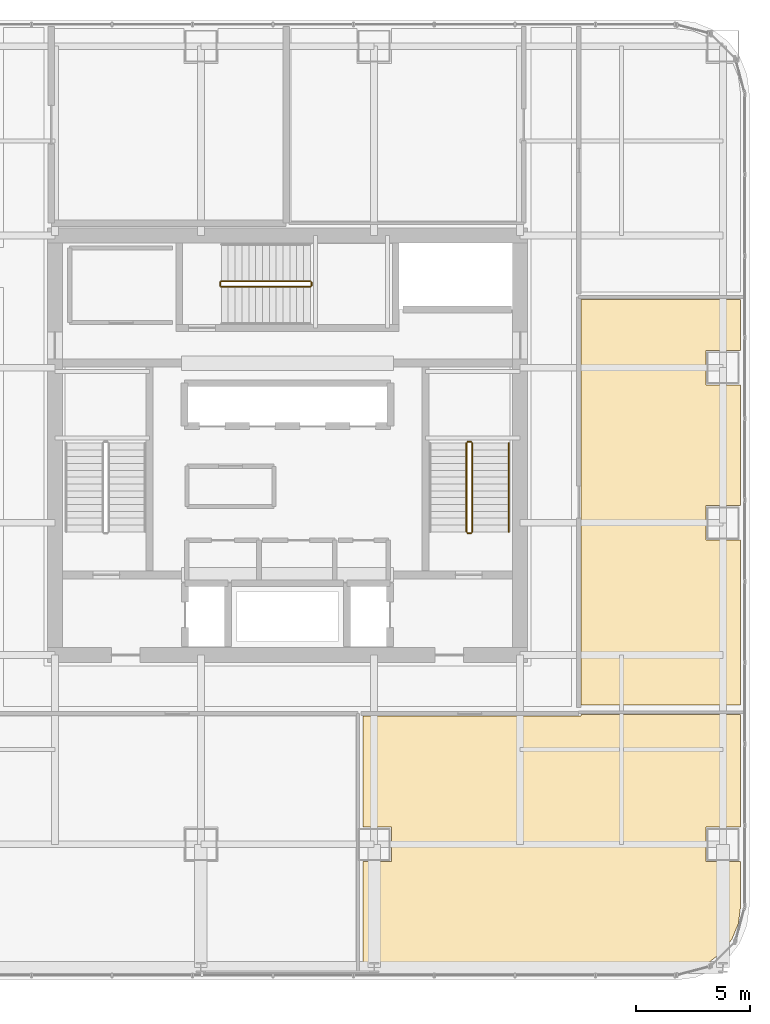
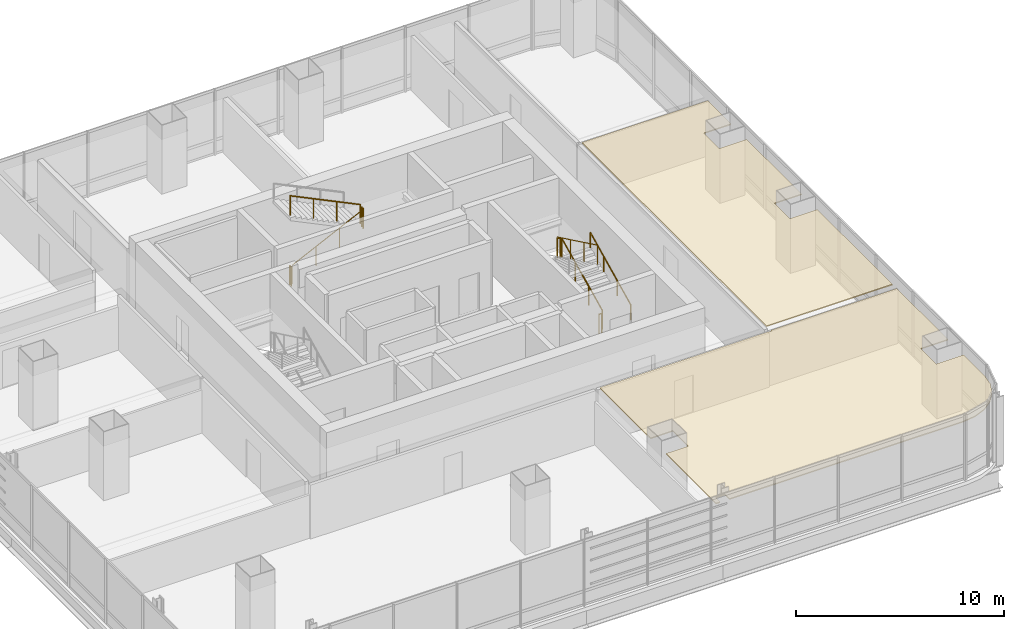
# One storey, part 35 of 36: 9 railings, 2 coverings.
"""IFC4 building model written with IfcOpenShell, lengths in metres."""

from ifc_helpers import new_model, si_unit, direction, frame, origin, origin_2d, place, context, subcontext, project, spatial, polyline, circle, outline, extrude, material, layer, layer_set, type_object, element, save


model = new_model("IFC4")

# Units and contexts
model_context = context("Model", 3, precision=1e-05, world=origin(), true_north=direction((0.0, 1.0)))
body_context = subcontext(model_context, "Body", "Model", "MODEL_VIEW")
ifc_project = project(units=[si_unit("LENGTHUNIT", "METRE"), si_unit("AREAUNIT", "SQUARE_METRE"), si_unit("VOLUMEUNIT", "CUBIC_METRE"), si_unit("PLANEANGLEUNIT", "RADIAN"), si_unit("MASSUNIT", "GRAM", prefix="KILO")], contexts=[model_context])

# Site, building, storey
site_placement = place(None, origin())
site = spatial("IfcSite", under=ifc_project, at=site_placement, CompositionType="ELEMENT")
building_placement = place(site_placement, origin())
building = spatial("IfcBuilding", under=site, at=building_placement, Name="Punatoya Terracotta Tower", CompositionType="ELEMENT")
storey_placement = place(building_placement, frame((0.0, 0.0, 184.35009765625)))
storey = spatial("IfcBuildingStorey", under=building, at=storey_placement, Name="L43", CompositionType="ELEMENT", Elevation=184.35009765625)

# Coverings
ifc_material_1 = material(Name="Acoustic Mineral Fibre Ceiling")
ifc_layer = layer(ifc_material_1, 0.06005859375)
ifc_layer_set = layer_set([ifc_layer], Name="Acoustic Mineral Fibre Ceiling")
covering_type = type_object("IfcCoveringType", Name="COV-CEIL-60", PredefinedType="CEILING", material=ifc_layer_set)
covering_1_placement = place(storey_placement, frame((0.0, 0.0, 3.219970703125)))
element("IfcCovering", 1, at=covering_1_placement, inside=storey, type_object=covering_type, Name="L43 Occupational Rest Lounge Acoustic Ceiling", PredefinedType="CEILING", context=body_context, shape_type="SweptSolid", body=[
    extrude(outline(polyline([(12.8701171875, -11.8701171875), (3.31591796875, -11.8701171875), (3.31591796875, -16.75), (4.550048828125, -16.75), (4.550048828125, -18.25), (3.31591796875, -18.25), (3.31591796875, -23.070068359375), (3.54541015625, -23.070068359375), (3.54541015625, -22.637451171875), (4.054443359375, -22.637451171875), (4.054443359375, -23.070068359375), (17.025146484375, -23.070068359375), (17.779052734375, -22.970703125), (18.458251953125, -22.689453125), (19.041748046875, -22.24169921875), (19.489501953125, -21.658203125), (19.770751953125, -20.97900390625), (19.8701171875, -20.22509765625), (19.8701171875, -18.25), (18.35009765625, -18.25), (18.35009765625, -16.75), (19.8701171875, -16.75), (19.8701171875, -11.81005859375), (12.8701171875, -11.81005859375), (12.8701171875, -11.8701171875)])), origin(), (0.0, 0.0, 1.0), 0.059814453125),
])
covering_2_placement = place(storey_placement, frame((0.0, 0.0, 3.219970703125)))
element("IfcCovering", 2, at=covering_2_placement, inside=storey, type_object=covering_type, Name="L43 Open-Plan Leadership Training Classroom Acoustic Ceiling", PredefinedType="CEILING", context=body_context, shape_type="SweptSolid", body=[
    extrude(outline(polyline([(12.8701171875, 6.403076171875), (12.8701171875, -11.389892578125), (19.8701171875, -11.389892578125), (19.8701171875, -4.14990234375), (18.35009765625, -4.14990234375), (18.35009765625, -2.64990234375), (19.8701171875, -2.64990234375), (19.8701171875, 2.64990234375), (18.35009765625, 2.64990234375), (18.35009765625, 4.14990234375), (19.8701171875, 4.14990234375), (19.8701171875, 6.403076171875), (12.8701171875, 6.403076171875)])), origin(), (0.0, 0.0, 1.0), 0.059814453125),
])

# Railings
ifc_material_2 = material(Name="Steel S355", Category="steel")
railing_type_1 = type_object("IfcRailingType", Name="RLG-GRD-1150", PredefinedType="GUARDRAIL", material=ifc_material_2)
railing_1_placement = place(storey_placement, frame((8.10009765625, -3.800048828125, 0.14453125)))
element("IfcRailing", 3, at=railing_1_placement, inside=storey, type_object=railing_type_1, Name="L43 ST-2 stair guard 1", PredefinedType="GUARDRAIL", context=body_context, shape_type="SweptSolid", body=[
    extrude(circle(Radius=0.02392578125, at=origin_2d()), frame((0.0, 0.0, 1.1259765625), z_axis=(0.0, 0.900773802044, 0.434288564841), x_axis=(-1.0, 0.0, 0.0)), (0.0, 0.0, 1.0), 4.329833984375),
    extrude(circle(Radius=0.02099609375, at=origin_2d()), origin(), (0.0, 0.0, 1.0), 1.101806640625),
    extrude(circle(Radius=0.02099609375, at=origin_2d()), frame((0.0, 1.300048828125, 0.626708984375)), (0.0, 0.0, 1.0), 1.101806640625),
    extrude(circle(Radius=0.02099609375, at=origin_2d()), frame((0.0, 2.60009765625, 1.253662109375)), (0.0, 0.0, 1.0), 1.101806640625),
    extrude(circle(Radius=0.02099609375, at=origin_2d()), frame((0.0, 3.900146484375, 1.88037109375)), (0.0, 0.0, 1.0), 1.101806640625),
])
railing_2_placement = place(storey_placement, frame((8.050048828125, 0.14990234375, 2.02490234375)))
element("IfcRailing", 4, at=railing_2_placement, inside=storey, type_object=railing_type_1, Name="L43 ST-2 stair guard 2", PredefinedType="GUARDRAIL", context=body_context, shape_type="SweptSolid", body=[
    extrude(circle(Radius=0.02392578125, at=origin_2d()), frame((0.0, 0.0, 1.1259765625), z_axis=(-1.0, 0.0, 0.0), x_axis=(0.0, -1.0, 0.0)), (0.0, 0.0, 1.0), 0.150146484375),
    extrude(circle(Radius=0.02099609375, at=origin_2d()), origin(), (0.0, 0.0, 1.0), 1.101806640625),
    extrude(circle(Radius=0.02099609375, at=origin_2d()), frame((-0.150146484375, 0.0, 0.0)), (0.0, 0.0, 1.0), 1.101806640625),
])
railing_3_placement = place(storey_placement, frame((7.85009765625, 0.10009765625, 2.16943359375)))
element("IfcRailing", 5, at=railing_3_placement, inside=storey, type_object=railing_type_1, Name="L43 ST-2 stair guard 3", PredefinedType="GUARDRAIL", context=body_context, shape_type="SweptSolid", body=[
    extrude(circle(Radius=0.02392578125, at=origin_2d()), frame((0.0, 0.0, 1.1259765625), z_axis=(0.0, -0.900773802044, 0.434288564841), x_axis=(1.0, 0.0, 0.0)), (0.0, 0.0, 1.0), 4.329833984375),
    extrude(circle(Radius=0.02099609375, at=origin_2d()), origin(), (0.0, 0.0, 1.0), 1.101806640625),
    extrude(circle(Radius=0.02099609375, at=origin_2d()), frame((0.0, -1.300048828125, 0.626708984375)), (0.0, 0.0, 1.0), 1.101806640625),
    extrude(circle(Radius=0.02099609375, at=origin_2d()), frame((0.0, -2.60009765625, 1.253662109375)), (0.0, 0.0, 1.0), 1.101806640625),
    extrude(circle(Radius=0.02099609375, at=origin_2d()), frame((0.0, -3.900146484375, 1.88037109375)), (0.0, 0.0, 1.0), 1.101806640625),
])
railing_4_placement = place(storey_placement, frame((8.050048828125, -3.85009765625, 0.0)))
element("IfcRailing", 6, at=railing_4_placement, inside=storey, type_object=railing_type_1, Name="L43 ST-2 stair guard 4", PredefinedType="GUARDRAIL", context=body_context, shape_type="SweptSolid", body=[
    extrude(circle(Radius=0.02392578125, at=origin_2d()), frame((0.0, 0.0, 1.1259765625), z_axis=(-1.0, 0.0, 0.0), x_axis=(0.0, -1.0, 0.0)), (0.0, 0.0, 1.0), 0.150146484375),
    extrude(circle(Radius=0.02099609375, at=origin_2d()), origin(), (0.0, 0.0, 1.0), 1.101806640625),
    extrude(circle(Radius=0.02099609375, at=origin_2d()), frame((-0.150146484375, 0.0, 0.0)), (0.0, 0.0, 1.0), 1.101806640625),
])
railing_5_placement = place(storey_placement, frame((-2.89990234375, 6.949951171875, 0.14453125)))
element("IfcRailing", 7, at=railing_5_placement, inside=storey, type_object=railing_type_1, Name="L43 ST-3 stair guard 1", PredefinedType="GUARDRAIL", context=body_context, shape_type="SweptSolid", body=[
    extrude(circle(Radius=0.02392578125, at=origin_2d()), frame((0.0, 0.0, 1.1259765625), z_axis=(0.900763166376, 0.0, 0.434310623978), x_axis=(0.0, 1.0, 0.0)), (0.0, 0.0, 1.0), 4.32958984375),
    extrude(circle(Radius=0.02099609375, at=origin_2d()), origin(), (0.0, 0.0, 1.0), 1.101806640625),
    extrude(circle(Radius=0.02099609375, at=origin_2d()), frame((1.300048828125, 0.0, 0.626708984375)), (0.0, 0.0, 1.0), 1.101806640625),
    extrude(circle(Radius=0.02099609375, at=origin_2d()), frame((2.599853515625, 0.0, 1.253662109375)), (0.0, 0.0, 1.0), 1.101806640625),
    extrude(circle(Radius=0.02099609375, at=origin_2d()), frame((3.89990234375, 0.0, 1.88037109375)), (0.0, 0.0, 1.0), 1.101806640625),
])
railing_6_placement = place(storey_placement, frame((1.050048828125, 7.0, 2.02490234375)))
element("IfcRailing", 8, at=railing_6_placement, inside=storey, type_object=railing_type_1, Name="L43 ST-3 stair guard 2", PredefinedType="GUARDRAIL", context=body_context, shape_type="SweptSolid", body=[
    extrude(circle(Radius=0.02392578125, at=origin_2d()), frame((0.0, 0.0, 1.1259765625), z_axis=(0.0, 1.0, 0.0), x_axis=(-1.0, 0.0, 0.0)), (0.0, 0.0, 1.0), 0.14990234375),
    extrude(circle(Radius=0.02099609375, at=origin_2d()), origin(), (0.0, 0.0, 1.0), 1.101806640625),
    extrude(circle(Radius=0.02099609375, at=origin_2d()), frame((0.0, 0.14990234375, 0.0)), (0.0, 0.0, 1.0), 1.101806640625),
])
railing_7_placement = place(storey_placement, frame((1.0, 7.199951171875, 2.16943359375)))
element("IfcRailing", 9, at=railing_7_placement, inside=storey, type_object=railing_type_1, Name="L43 ST-3 stair guard 3", PredefinedType="GUARDRAIL", context=body_context, shape_type="SweptSolid", body=[
    extrude(circle(Radius=0.02392578125, at=origin_2d()), frame((0.0, 0.0, 1.1259765625), z_axis=(-0.900763166376, 0.0, 0.434310623978), x_axis=(0.0, -1.0, 0.0)), (0.0, 0.0, 1.0), 4.32958984375),
    extrude(circle(Radius=0.02099609375, at=origin_2d()), origin(), (0.0, 0.0, 1.0), 1.101806640625),
    extrude(circle(Radius=0.02099609375, at=origin_2d()), frame((-1.300048828125, 0.0, 0.626708984375)), (0.0, 0.0, 1.0), 1.101806640625),
    extrude(circle(Radius=0.02099609375, at=origin_2d()), frame((-2.599853515625, 0.0, 1.253662109375)), (0.0, 0.0, 1.0), 1.101806640625),
    extrude(circle(Radius=0.02099609375, at=origin_2d()), frame((-3.89990234375, 0.0, 1.88037109375)), (0.0, 0.0, 1.0), 1.101806640625),
])
railing_8_placement = place(storey_placement, frame((-2.949951171875, 7.0, 0.0)))
element("IfcRailing", 10, at=railing_8_placement, inside=storey, type_object=railing_type_1, Name="L43 ST-3 stair guard 4", PredefinedType="GUARDRAIL", context=body_context, shape_type="SweptSolid", body=[
    extrude(circle(Radius=0.02392578125, at=origin_2d()), frame((0.0, 0.0, 1.1259765625), z_axis=(0.0, 1.0, 0.0), x_axis=(-1.0, 0.0, 0.0)), (0.0, 0.0, 1.0), 0.14990234375),
    extrude(circle(Radius=0.02099609375, at=origin_2d()), origin(), (0.0, 0.0, 1.0), 1.101806640625),
    extrude(circle(Radius=0.02099609375, at=origin_2d()), frame((0.0, 0.14990234375, 0.0)), (0.0, 0.0, 1.0), 1.101806640625),
])
railing_type_2 = type_object("IfcRailingType", Name="RLG-HND-900", PredefinedType="HANDRAIL", material=ifc_material_2)
railing_9_placement = place(storey_placement, frame((9.699951171875, -3.800048828125, 0.14453125)))
element("IfcRailing", 11, at=railing_9_placement, inside=storey, type_object=railing_type_2, Name="L43 ST-2 stair handrail 1", PredefinedType="HANDRAIL", context=body_context, shape_type="SweptSolid", body=[
    extrude(circle(Radius=0.02392578125, at=origin_2d()), frame((0.0, 0.0, 0.8759765625), z_axis=(0.0, 0.900773802044, 0.434288564841), x_axis=(-1.0, 0.0, 0.0)), (0.0, 0.0, 1.0), 4.329833984375),
    extrude(circle(Radius=0.02099609375, at=origin_2d()), origin(), (0.0, 0.0, 1.0), 0.851806640625),
    extrude(circle(Radius=0.02099609375, at=origin_2d()), frame((0.0, 1.300048828125, 0.626708984375)), (0.0, 0.0, 1.0), 0.851806640625),
    extrude(circle(Radius=0.02099609375, at=origin_2d()), frame((0.0, 2.60009765625, 1.253662109375)), (0.0, 0.0, 1.0), 0.851806640625),
    extrude(circle(Radius=0.02099609375, at=origin_2d()), frame((0.0, 3.900146484375, 1.88037109375)), (0.0, 0.0, 1.0), 0.851806640625),
])

save(model, "model.ifc")
